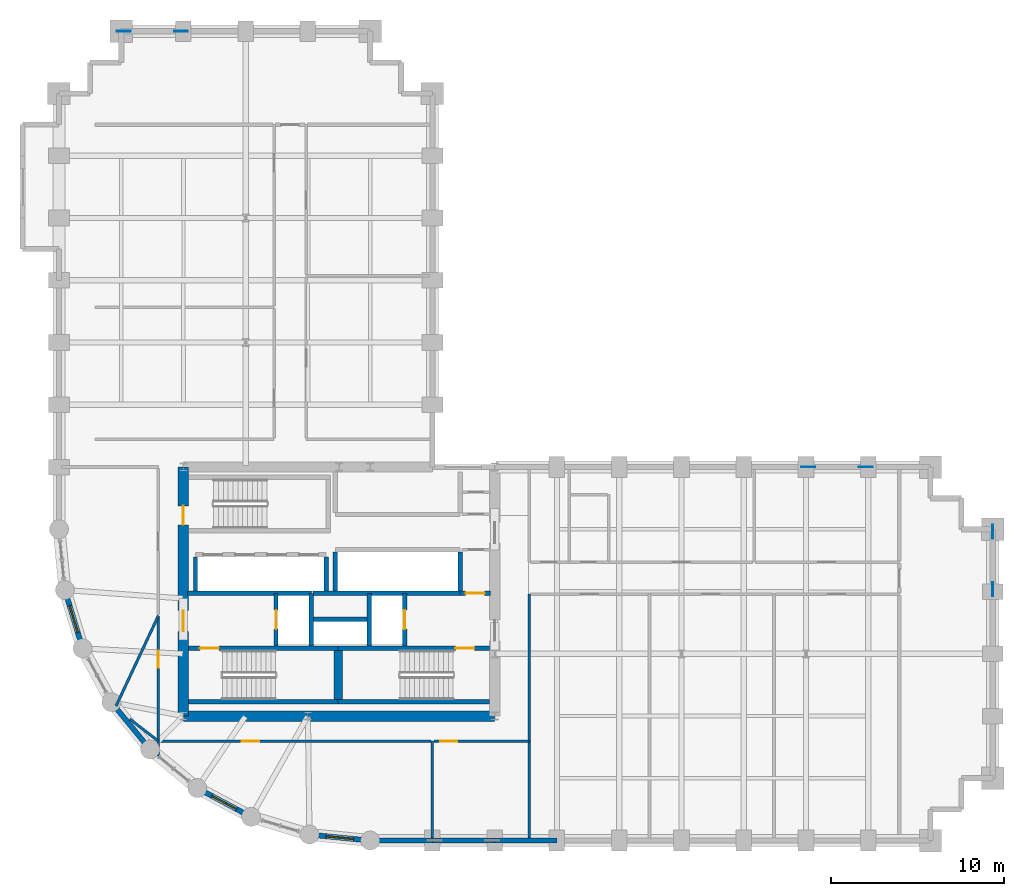
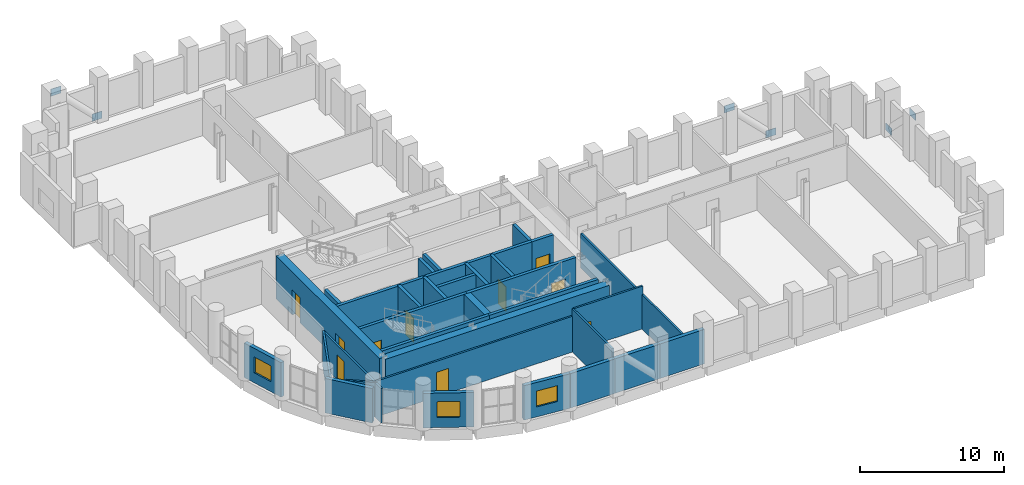
# One storey, part 9 of 13: 33 walls, 10 doors, 6 plates, 3 windows, 13 openings.
"""IFC4 building model written with IfcOpenShell, lengths in metres."""

from ifc_helpers import new_model, si_unit, direction, frame, frame_2d, origin, origin_2d, place, context, subcontext, project, spatial, rectangle, extrude, material, layer, layer_set, type_object, element, fill, save


model = new_model("IFC4")

# Units and contexts
model_context = context("Model", 3, precision=1e-05, world=origin(), true_north=direction((0.0, 1.0)))
body_context = subcontext(model_context, "Body", "Model", "MODEL_VIEW")
ifc_project = project(units=[si_unit("LENGTHUNIT", "METRE"), si_unit("AREAUNIT", "SQUARE_METRE"), si_unit("VOLUMEUNIT", "CUBIC_METRE"), si_unit("PLANEANGLEUNIT", "RADIAN"), si_unit("MASSUNIT", "GRAM", prefix="KILO")], contexts=[model_context])

# Site, building, storey
site_placement = place(None, origin())
site = spatial("IfcSite", under=ifc_project, at=site_placement, CompositionType="ELEMENT")
building_placement = place(site_placement, origin())
building = spatial("IfcBuilding", under=site, at=building_placement, Name="Solnavia Interchange Tower", CompositionType="ELEMENT")
storey_placement = place(building_placement, frame((0.0, 0.0, 51.300048828125)))
storey = spatial("IfcBuildingStorey", under=building, at=storey_placement, Name="L12", CompositionType="ELEMENT", Elevation=51.300048828125)

# Plates
ifc_material_1 = material(Name="Steel S460", Category="steel")
ifc_layer_1 = layer(ifc_material_1, 0.035888671875)
ifc_layer_set_1 = layer_set([ifc_layer_1], Name="Steel S460")
plate_type = type_object("IfcPlateType", Name="Plate-Gusset-800x600x36", PredefinedType="USERDEFINED", material=ifc_layer_set_1)
for number, where, z_axis, x_axis, name in (
    (1, (61.199951171875, 21.4599609375, -0.1201171875), (0.0, 0.0, 1.0), (0.0, -1.0, 0.0), "PLT-L12-GP03 Perimeter brace gusset plate"),
    (2, (61.199951171875, 18.139892578125, 3.169921875), (0.0, 0.0, 1.0), (0.0, -1.0, 0.0), "PLT-L12-GP04 Perimeter brace gusset plate"),
    (3, (14.260009765625, 50.39990234375, -0.1201171875), (0.0, 0.0, 1.0), (-1.0, 0.0, 0.0), "PLT-L12-GP05 Perimeter brace gusset plate"),
    (4, (10.93994140625, 50.39990234375, 3.169921875), (0.0, 0.0, 1.0), (-1.0, 0.0, 0.0), "PLT-L12-GP06 Perimeter brace gusset plate"),
    (5, (53.860107421875, 25.199951171875, -0.1201171875), (0.0, 0.0, 1.0), (-1.0, 0.0, 0.0), "PLT-L12-GP07 Perimeter brace gusset plate"),
    (6, (50.5400390625, 25.199951171875, 3.169921875), (0.0, 0.0, 1.0), (-1.0, 0.0, 0.0), "PLT-L12-GP08 Perimeter brace gusset plate"),
):
    element("IfcPlate", number, at=place(storey_placement, frame(where, z_axis=z_axis, x_axis=x_axis)), inside=storey, type_object=plate_type, Name=name, ObjectType="GUSSET PLATE", PredefinedType="USERDEFINED", context=body_context, shape_type="SweptSolid", body=[
        extrude(rectangle(XDim=0.800048828125, YDim=0.035888671875, at=origin_2d()), origin(), (0.0, 0.0, 1.0), 0.60009765625),
    ])

# Walls
ifc_material_2 = material(Name="Concrete C40/50", Category="concrete")
ifc_layer_2 = layer(ifc_material_2, 0.300048828125)
ifc_layer_set_2 = layer_set([ifc_layer_2], Name="Concrete C40/50")
wall_type_1 = type_object("IfcWallType", Name="Wall-ExtSpandrel-300", PredefinedType="STANDARD", material=ifc_layer_set_2)
wall_1_placement = place(storey_placement, frame((28.800048828125, 3.60009765625, 0.0), z_axis=(0.0, 0.0, 1.0), x_axis=(-1.0, 0.0, 0.0)))
element("IfcWall", 7, at=wall_1_placement, inside=storey, type_object=wall_type_1, Name="EXW-L12-01 Exterior precast spandrel wall", PredefinedType="STANDARD", context=body_context, shape_type="SweptSolid", body=[
    extrude(rectangle(XDim=3.60009765625, YDim=0.300048828125, at=frame_2d((1.800048828125, 0.0))), origin(), (0.0, 0.0, 1.0), 2.929931640625),
])
wall_2_placement = place(storey_placement, frame((32.39990234375, 3.60009765625, 0.0), z_axis=(0.0, 0.0, 1.0), x_axis=(-1.0, 0.0, 0.0)))
element("IfcWall", 8, at=wall_2_placement, inside=storey, type_object=wall_type_1, Name="EXW-L12-02 Exterior precast spandrel wall", PredefinedType="STANDARD", context=body_context, shape_type="SweptSolid", body=[
    extrude(rectangle(XDim=3.599853515625, YDim=0.300048828125, at=frame_2d((1.7998046875, 0.0))), origin(), (0.0, 0.0, 1.0), 2.929931640625),
])
wall_3_placement = place(storey_placement, frame((36.0, 3.60009765625, 0.0), z_axis=(0.0, 0.0, 1.0), x_axis=(-1.0, 0.0, 0.0)))
element("IfcWall", 9, at=wall_3_placement, inside=storey, type_object=wall_type_1, Name="EXW-L12-03 Exterior precast spandrel wall", PredefinedType="STANDARD", context=body_context, shape_type="SweptSolid", body=[
    extrude(rectangle(XDim=3.60009765625, YDim=0.300048828125, at=frame_2d((1.800048828125, 0.0))), origin(), (0.0, 0.0, 1.0), 2.929931640625),
])

# Wall, opening, window
wall_4_placement = place(storey_placement, frame((8.570068359375, 14.7119140625, 0.0), z_axis=(0.0, 0.0, 1.0), x_axis=(-0.290305086481, 0.956934144423, 0.0)))
wall_4 = element("IfcWall", 10, at=wall_4_placement, inside=storey, type_object=wall_type_1, Name="EXW-L12-60 Exterior precast spandrel wall", PredefinedType="STANDARD", context=body_context, shape_type="SweptSolid", body=[
    extrude(rectangle(XDim=3.52783203125, YDim=0.300048828125, at=frame_2d((1.763916015625, 0.0))), origin(), (0.0, 0.0, 1.0), 2.929931640625),
])
opening_1_placement = place(wall_4_placement, frame((0.964111328125, 0.0, 0.85009765625)))
opening_1 = element("IfcOpeningElement", 11, at=opening_1_placement, cuts=wall_4, Name="Opening WIN-04", PredefinedType="OPENING", context=body_context, shape_type="SweptSolid", body=[
    extrude(rectangle(XDim=1.60009765625, YDim=1.35009765625, at=frame_2d((0.800048828125, 0.675048828125))), frame((0.0, 0.16015625, 0.0), z_axis=(0.0, -1.0, 0.0), x_axis=(1.0, 0.0, 0.0)), (0.0, 0.0, 1.0), 0.320068359375),
])
ifc_material_3 = material(Name="Thermal-Break Aluminium & Low-E Glass", Category="aluminium")
window_type = type_object("IfcWindowType", Name="Window-Drum-1600x1350", PartitioningType="SINGLE_PANEL", PredefinedType="WINDOW", material=ifc_material_3)
window_1_placement = place(opening_1_placement, origin())
window_1 = element("IfcWindow", 12, at=window_1_placement, inside=storey, type_object=window_type, Name="WIN-L12-60 Facade ribbon window", OverallHeight=1.35009765625, OverallWidth=1.60009765625, PartitioningType="SINGLE_PANEL", PredefinedType="WINDOW", context=body_context, shape_type="SweptSolid", body=[
    extrude(rectangle(XDim=1.60009765625, YDim=1.35009765625, at=frame_2d((0.800048828125, 0.675048828125))), frame((0.0, 0.030029296875, 0.0), z_axis=(0.0, -1.0, 0.0), x_axis=(1.0, 0.0, 0.0)), (0.0, 0.0, 1.0), 0.06005859375),
])
fill(opening_1, window_1)

# Wall
wall_5_placement = place(storey_placement, frame((12.471923828125, 8.8720703125, 0.0), z_axis=(0.0, 0.0, 1.0), x_axis=(-0.634258295121, 0.773121216285, 0.0)))
element("IfcWall", 13, at=wall_5_placement, inside=storey, type_object=wall_type_1, Name="EXW-L12-62 Exterior precast spandrel wall", PredefinedType="STANDARD", context=body_context, shape_type="SweptSolid", body=[
    extrude(rectangle(XDim=3.528564453125, YDim=0.300048828125, at=frame_2d((1.76416015625, 0.0))), origin(), (0.0, 0.0, 1.0), 2.929931640625),
])

# Wall, opening, window
wall_6_placement = place(storey_placement, frame((18.31201171875, 4.969970703125, 0.0), z_axis=(0.0, 0.0, 1.0), x_axis=(-0.881846862014, 0.471535907389, 0.0)))
wall_6 = element("IfcWall", 14, at=wall_6_placement, inside=storey, type_object=wall_type_1, Name="EXW-L12-64 Exterior precast spandrel wall", PredefinedType="STANDARD", context=body_context, shape_type="SweptSolid", body=[
    extrude(rectangle(XDim=3.529052734375, YDim=0.300048828125, at=frame_2d((1.7646484375, 0.0))), origin(), (0.0, 0.0, 1.0), 2.929931640625),
])
opening_2_placement = place(wall_6_placement, frame((0.964111328125, 0.0, 0.85009765625)))
opening_2 = element("IfcOpeningElement", 15, at=opening_2_placement, cuts=wall_6, Name="Opening WIN-04", PredefinedType="OPENING", context=body_context, shape_type="SweptSolid", body=[
    extrude(rectangle(XDim=1.60009765625, YDim=1.35009765625, at=frame_2d((0.800048828125, 0.675048828125))), frame((0.0, 0.16015625, 0.0), z_axis=(0.0, -1.0, 0.0), x_axis=(1.0, 0.0, 0.0)), (0.0, 0.0, 1.0), 0.320068359375),
])
window_2_placement = place(opening_2_placement, origin())
window_2 = element("IfcWindow", 16, at=window_2_placement, inside=storey, type_object=window_type, Name="WIN-L12-64 Facade ribbon window", OverallHeight=1.35009765625, OverallWidth=1.60009765625, PartitioningType="SINGLE_PANEL", PredefinedType="WINDOW", context=body_context, shape_type="SweptSolid", body=[
    extrude(rectangle(XDim=1.60009765625, YDim=1.35009765625, at=frame_2d((0.800048828125, 0.675048828125))), frame((0.0, 0.030029296875, 0.0), z_axis=(0.0, -1.0, 0.0), x_axis=(1.0, 0.0, 0.0)), (0.0, 0.0, 1.0), 0.06005859375),
])
fill(opening_2, window_2)

wall_7_placement = place(storey_placement, frame((25.199951171875, 3.60009765625, 0.0), z_axis=(0.0, 0.0, 1.0), x_axis=(-0.995183369056, 0.098030923459, 0.0)))
wall_7 = element("IfcWall", 17, at=wall_7_placement, inside=storey, type_object=wall_type_1, Name="EXW-L12-66 Exterior precast spandrel wall", PredefinedType="STANDARD", context=body_context, shape_type="SweptSolid", body=[
    extrude(rectangle(XDim=3.529052734375, YDim=0.300048828125, at=frame_2d((1.7646484375, 0.0))), origin(), (0.0, 0.0, 1.0), 2.929931640625),
])
opening_3_placement = place(wall_7_placement, frame((0.965087890625, 0.0, 0.85009765625)))
opening_3 = element("IfcOpeningElement", 18, at=opening_3_placement, cuts=wall_7, Name="Opening WIN-04", PredefinedType="OPENING", context=body_context, shape_type="SweptSolid", body=[
    extrude(rectangle(XDim=1.60009765625, YDim=1.35009765625, at=frame_2d((0.800048828125, 0.675048828125))), frame((0.0, 0.16015625, 0.0), z_axis=(0.0, -1.0, 0.0), x_axis=(1.0, 0.0, 0.0)), (0.0, 0.0, 1.0), 0.320068359375),
])
window_3_placement = place(opening_3_placement, origin())
window_3 = element("IfcWindow", 19, at=window_3_placement, inside=storey, type_object=window_type, Name="WIN-L12-66 Facade ribbon window", OverallHeight=1.35009765625, OverallWidth=1.60009765625, PartitioningType="SINGLE_PANEL", PredefinedType="WINDOW", context=body_context, shape_type="SweptSolid", body=[
    extrude(rectangle(XDim=1.60009765625, YDim=1.35009765625, at=frame_2d((0.800048828125, 0.675048828125))), frame((0.0, 0.030029296875, 0.0), z_axis=(0.0, -1.0, 0.0), x_axis=(1.0, 0.0, 0.0)), (0.0, 0.0, 1.0), 0.06005859375),
])
fill(opening_3, window_3)

# Walls
ifc_material_4 = material(Name="Gypsum Plasterboard & Steel Stud", Category="steel")
ifc_layer_3 = layer(ifc_material_4, 0.14990234375)
ifc_layer_set_3 = layer_set([ifc_layer_3], Name="Gypsum Plasterboard & Steel Stud")
wall_type_2 = type_object("IfcWallType", Name="Wall-Partition-150", PredefinedType="PARTITIONING", material=ifc_layer_set_3)
wall_8_placement = place(storey_placement, frame((28.800048828125, 9.35009765625, 0.0), z_axis=(0.0, 0.0, 1.0), x_axis=(0.0, -1.0, 0.0)))
element("IfcWall", 20, at=wall_8_placement, inside=storey, type_object=wall_type_2, Name="PTW-L12-08 Interior partition wall", PredefinedType="PARTITIONING", context=body_context, shape_type="SweptSolid", body=[
    extrude(rectangle(XDim=5.59619140625, YDim=0.14990234375, at=frame_2d((2.798095703125, 0.0))), origin(), (0.0, 0.0, 1.0), 3.635009765625),
])
wall_9_placement = place(storey_placement, frame((12.949951171875, 9.35009765625, 0.0), z_axis=(0.0, 0.0, 1.0), x_axis=(-0.791573423038, 0.611074067474, 0.0)))
element("IfcWall", 21, at=wall_9_placement, inside=storey, type_object=wall_type_2, Name="PTW-L12-09 Interior partition wall", PredefinedType="PARTITIONING", context=body_context, shape_type="SweptSolid", body=[
    extrude(rectangle(XDim=2.084228515625, YDim=0.14990234375, at=frame_2d((1.0419921875, 0.0))), origin(), (0.0, 0.0, 1.0), 2.929931640625),
])
wall_10_placement = place(storey_placement, frame((12.949951171875, 16.60009765625, 0.0), z_axis=(0.0, 0.0, 1.0), x_axis=(-0.424335060038, -0.905505249473, 0.0)))
element("IfcWall", 22, at=wall_10_placement, inside=storey, type_object=wall_type_2, Name="PTW-L12-10 Interior partition wall", PredefinedType="PARTITIONING", context=body_context, shape_type="SweptSolid", body=[
    extrude(rectangle(XDim=5.760498046875, YDim=0.14990234375, at=frame_2d((2.88037109375, 0.0))), origin(), (0.0, 0.0, 1.0), 2.929931640625),
])

# Wall, opening, door
wall_11_placement = place(storey_placement, frame((12.949951171875, 8.47998046875, 0.0), z_axis=(0.0, 0.0, 1.0), x_axis=(0.0, 1.0, 0.0)))
wall_11 = element("IfcWall", 23, at=wall_11_placement, inside=storey, type_object=wall_type_2, Name="PTW-L12-12 Interior partition wall", PredefinedType="PARTITIONING", context=body_context, shape_type="SweptSolid", body=[
    extrude(rectangle(XDim=8.041015625, YDim=0.14990234375, at=frame_2d((4.0205078125, 0.0))), origin(), (0.0, 0.0, 1.0), 2.929931640625),
])
opening_4_placement = place(wall_11_placement, frame((5.10107421875, 0.0, 0.0)))
opening_4 = element("IfcOpeningElement", 24, at=opening_4_placement, cuts=wall_11, Name="Opening DR-07", PredefinedType="OPENING", context=body_context, shape_type="SweptSolid", body=[
    extrude(rectangle(XDim=1.0, YDim=2.10009765625, at=frame_2d((0.5, 1.050048828125))), frame((0.0, 0.0849609375, 0.0), z_axis=(0.0, -1.0, 0.0), x_axis=(1.0, 0.0, 0.0)), (0.0, 0.0, 1.0), 0.169921875),
])
ifc_material_5 = material(Name="Timber & Acoustic Glazed Office Door", Category="wood")
door_type_1 = type_object("IfcDoorType", Name="Door-Office-1000x2100", OperationType="SINGLE_SWING_RIGHT", PredefinedType="DOOR", material=ifc_material_5)
door_1_placement = place(opening_4_placement, origin())
door_1 = element("IfcDoor", 25, at=door_1_placement, inside=storey, type_object=door_type_1, Name="DR-L12-04 Interior room door", OperationType="SINGLE_SWING_RIGHT", OverallHeight=2.10009765625, OverallWidth=1.0, PredefinedType="DOOR", context=body_context, shape_type="SweptSolid", body=[
    extrude(rectangle(XDim=1.0, YDim=2.10009765625, at=frame_2d((0.5, 1.050048828125))), frame((0.0, 0.02490234375, 0.0), z_axis=(0.0, -1.0, 0.0), x_axis=(1.0, 0.0, 0.0)), (0.0, 0.0, 1.0), 0.050048828125),
])
fill(opening_4, door_1)

wall_12_placement = place(storey_placement, frame((12.949951171875, 9.35009765625, 0.0), z_axis=(0.0, 0.0, 1.0), x_axis=(1.0, 0.0, 0.0)))
wall_12 = element("IfcWall", 26, at=wall_12_placement, inside=storey, type_object=wall_type_2, Name="PTW-L12-13 Interior partition wall", PredefinedType="PARTITIONING", context=body_context, shape_type="SweptSolid", body=[
    extrude(rectangle(XDim=15.77099609375, YDim=0.14990234375, at=frame_2d((7.885498046875, 0.0))), origin(), (0.0, 0.0, 1.0), 3.0400390625),
])
opening_5_placement = place(wall_12_placement, frame((4.8359375, 0.0, 0.0)))
opening_5 = element("IfcOpeningElement", 27, at=opening_5_placement, cuts=wall_12, Name="Opening DR-07", PredefinedType="OPENING", context=body_context, shape_type="SweptSolid", body=[
    extrude(rectangle(XDim=1.0, YDim=2.10009765625, at=frame_2d((0.5, 1.050048828125))), frame((0.0, 0.0849609375, 0.0), z_axis=(0.0, -1.0, 0.0), x_axis=(1.0, 0.0, 0.0)), (0.0, 0.0, 1.0), 0.169921875),
])
door_2_placement = place(opening_5_placement, origin())
door_2 = element("IfcDoor", 28, at=door_2_placement, inside=storey, type_object=door_type_1, Name="DR-L12-05 Interior room door", OperationType="SINGLE_SWING_LEFT", OverallHeight=2.10009765625, OverallWidth=1.0, PredefinedType="DOOR", context=body_context, shape_type="SweptSolid", body=[
    extrude(rectangle(XDim=1.0, YDim=2.10009765625, at=frame_2d((0.5, 1.050048828125))), frame((0.0, 0.02490234375, 0.0), z_axis=(0.0, -1.0, 0.0), x_axis=(1.0, 0.0, 0.0)), (0.0, 0.0, 1.0), 0.050048828125),
])
fill(opening_5, door_2)

wall_13_placement = place(storey_placement, frame((28.87890625, 9.35009765625, 0.0), z_axis=(0.0, 0.0, 1.0), x_axis=(1.0, 0.0, 0.0)))
wall_13 = element("IfcWall", 29, at=wall_13_placement, inside=storey, type_object=wall_type_2, Name="PTW-L12-14 Interior partition wall", PredefinedType="PARTITIONING", context=body_context, shape_type="SweptSolid", body=[
    extrude(rectangle(XDim=5.52099609375, YDim=0.14990234375, at=frame_2d((2.760498046875, 0.0))), origin(), (0.0, 0.0, 1.0), 3.635009765625),
])
opening_6_placement = place(wall_13_placement, frame((0.360107421875, 0.0, 0.0)))
opening_6 = element("IfcOpeningElement", 30, at=opening_6_placement, cuts=wall_13, Name="Opening DR-07", PredefinedType="OPENING", context=body_context, shape_type="SweptSolid", body=[
    extrude(rectangle(XDim=1.0, YDim=2.10009765625, at=frame_2d((0.5, 1.050048828125))), frame((0.0, 0.0849609375, 0.0), z_axis=(0.0, -1.0, 0.0), x_axis=(1.0, 0.0, 0.0)), (0.0, 0.0, 1.0), 0.169921875),
])
door_3_placement = place(opening_6_placement, origin())
door_3 = element("IfcDoor", 31, at=door_3_placement, inside=storey, type_object=door_type_1, Name="DR-L12-06 Interior room door", OperationType="SINGLE_SWING_RIGHT", OverallHeight=2.10009765625, OverallWidth=1.0, PredefinedType="DOOR", context=body_context, shape_type="SweptSolid", body=[
    extrude(rectangle(XDim=1.0, YDim=2.10009765625, at=frame_2d((0.5, 1.050048828125))), frame((0.0, 0.02490234375, 0.0), z_axis=(0.0, -1.0, 0.0), x_axis=(1.0, 0.0, 0.0)), (0.0, 0.0, 1.0), 0.050048828125),
])
fill(opening_6, door_3)

# Walls
wall_14_placement = place(storey_placement, frame((34.39990234375, 3.75390625, 0.0), z_axis=(0.0, 0.0, 1.0), x_axis=(0.0, 1.0, 0.0)))
element("IfcWall", 32, at=wall_14_placement, inside=storey, type_object=wall_type_2, Name="PTW-L12-15 Interior partition wall", PredefinedType="PARTITIONING", context=body_context, shape_type="SweptSolid", body=[
    extrude(rectangle(XDim=14.09619140625, YDim=0.14990234375, at=frame_2d((7.048095703125, 0.0))), origin(), (0.0, 0.0, 1.0), 2.929931640625),
])
ifc_layer_4 = layer(ifc_material_2, 0.25)
ifc_layer_set_4 = layer_set([ifc_layer_4], Name="Concrete C40/50")
wall_type_3 = type_object("IfcWallType", Name="Wall-ShaftCore-250", PredefinedType="SHEAR", material=ifc_layer_set_4)
wall_15_placement = place(storey_placement, frame((14.699951171875, 11.625, 0.0), z_axis=(0.0, 0.0, 1.0), x_axis=(1.0, 0.0, 0.0)))
element("IfcWall", 33, at=wall_15_placement, inside=storey, type_object=wall_type_3, Name="SHW-L12-ST1S Core shear wall", PredefinedType="SHEAR", context=body_context, shape_type="SweptSolid", body=[
    extrude(rectangle(XDim=8.650146484375, YDim=0.25, at=frame_2d((4.3251953125, 0.0))), origin(), (0.0, 0.0, 1.0), 3.64990234375),
])

# Wall, opening, door
wall_16_placement = place(storey_placement, frame((14.699951171875, 14.715087890625, 0.0), z_axis=(0.0, 0.0, 1.0), x_axis=(1.0, 0.0, 0.0)))
wall_16 = element("IfcWall", 34, at=wall_16_placement, inside=storey, type_object=wall_type_3, Name="SHW-L12-ST1N Core shear wall", PredefinedType="SHEAR", context=body_context, shape_type="SweptSolid", body=[
    extrude(rectangle(XDim=8.650146484375, YDim=0.25, at=frame_2d((4.3251953125, 0.0))), origin(), (0.0, 0.0, 1.0), 3.64990234375),
])
opening_7_placement = place(wall_16_placement, frame((0.655029296875, 0.0, 0.0)))
opening_7 = element("IfcOpeningElement", 35, at=opening_7_placement, cuts=wall_16, Name="Opening DR-01", PredefinedType="OPENING", context=body_context, shape_type="SweptSolid", body=[
    extrude(rectangle(XDim=1.10009765625, YDim=2.10009765625, at=frame_2d((0.550048828125, 1.050048828125))), frame((0.0, 0.135009765625, 0.0), z_axis=(0.0, -1.0, 0.0), x_axis=(1.0, 0.0, 0.0)), (0.0, 0.0, 1.0), 0.27001953125),
])
ifc_material_6 = material(Name="Steel Fire-Rated Leaf & Frame", Category="steel")
door_type_2 = type_object("IfcDoorType", Name="Door-StairFire-1100x2100", OperationType="SINGLE_SWING_LEFT", PredefinedType="DOOR", material=ifc_material_6)
door_4_placement = place(opening_7_placement, origin())
door_4 = element("IfcDoor", 36, at=door_4_placement, inside=storey, type_object=door_type_2, Name="DR-L12-ST1 Core fire door", OperationType="SINGLE_SWING_LEFT", OverallHeight=2.10009765625, OverallWidth=1.10009765625, PredefinedType="DOOR", context=body_context, shape_type="SweptSolid", body=[
    extrude(rectangle(XDim=1.10009765625, YDim=2.10009765625, at=frame_2d((0.550048828125, 1.050048828125))), frame((0.0, 0.02490234375, 0.0), z_axis=(0.0, -1.0, 0.0), x_axis=(1.0, 0.0, 0.0)), (0.0, 0.0, 1.0), 0.050048828125),
])
fill(opening_7, door_4)

# Wall
wall_17_placement = place(storey_placement, frame((23.35009765625, 11.625, 0.0), z_axis=(0.0, 0.0, 1.0), x_axis=(1.0, 0.0, 0.0)))
element("IfcWall", 37, at=wall_17_placement, inside=storey, type_object=wall_type_3, Name="SHW-L12-ST2S Core shear wall", PredefinedType="SHEAR", context=body_context, shape_type="SweptSolid", body=[
    extrude(rectangle(XDim=8.75, YDim=0.25, at=frame_2d((4.375, 0.0))), origin(), (0.0, 0.0, 1.0), 3.64990234375),
])

# Wall, opening, door
wall_18_placement = place(storey_placement, frame((23.35009765625, 14.715087890625, 0.0), z_axis=(0.0, 0.0, 1.0), x_axis=(1.0, 0.0, 0.0)))
wall_18 = element("IfcWall", 38, at=wall_18_placement, inside=storey, type_object=wall_type_3, Name="SHW-L12-ST2N Core shear wall", PredefinedType="SHEAR", context=body_context, shape_type="SweptSolid", body=[
    extrude(rectangle(XDim=8.75, YDim=0.25, at=frame_2d((4.375, 0.0))), origin(), (0.0, 0.0, 1.0), 3.64990234375),
])
opening_8_placement = place(wall_18_placement, frame((6.77490234375, 0.0, 0.0)))
opening_8 = element("IfcOpeningElement", 39, at=opening_8_placement, cuts=wall_18, Name="Opening DR-01", PredefinedType="OPENING", context=body_context, shape_type="SweptSolid", body=[
    extrude(rectangle(XDim=1.10009765625, YDim=2.10009765625, at=frame_2d((0.550048828125, 1.050048828125))), frame((0.0, 0.135009765625, 0.0), z_axis=(0.0, -1.0, 0.0), x_axis=(1.0, 0.0, 0.0)), (0.0, 0.0, 1.0), 0.27001953125),
])
door_5_placement = place(opening_8_placement, origin())
door_5 = element("IfcDoor", 40, at=door_5_placement, inside=storey, type_object=door_type_2, Name="DR-L12-ST2 Core fire door", OperationType="SINGLE_SWING_LEFT", OverallHeight=2.10009765625, OverallWidth=1.10009765625, PredefinedType="DOOR", context=body_context, shape_type="SweptSolid", body=[
    extrude(rectangle(XDim=1.10009765625, YDim=2.10009765625, at=frame_2d((0.550048828125, 1.050048828125))), frame((0.0, 0.02490234375, 0.0), z_axis=(0.0, -1.0, 0.0), x_axis=(1.0, 0.0, 0.0)), (0.0, 0.0, 1.0), 0.050048828125),
])
fill(opening_8, door_5)

# Wall
ifc_layer_5 = layer(ifc_material_2, 0.25)
ifc_layer_set_5 = layer_set([ifc_layer_5], Name="Concrete C40/50")
wall_type_4 = type_object("IfcWallType", Name="Wall-ShaftPart-250", PredefinedType="PARTITIONING", material=ifc_layer_set_5)
wall_19_placement = place(storey_placement, frame((14.64990234375, 17.89990234375, 0.0), z_axis=(0.0, 0.0, 1.0), x_axis=(1.0, 0.0, 0.0)))
element("IfcWall", 41, at=wall_19_placement, inside=storey, type_object=wall_type_4, Name="SHW-L12-FFLW-N Core shaft wall", PredefinedType="PARTITIONING", context=body_context, shape_type="SweptSolid", body=[
    extrude(rectangle(XDim=7.150146484375, YDim=0.25, at=frame_2d((3.5751953125, 0.0))), origin(), (0.0, 0.0, 1.0), 3.635009765625),
])

# Wall, opening, door
wall_20_placement = place(storey_placement, frame((19.75, 14.840087890625, 0.0), z_axis=(0.0, 0.0, 1.0), x_axis=(0.0, 1.0, 0.0)))
wall_20 = element("IfcWall", 42, at=wall_20_placement, inside=storey, type_object=wall_type_4, Name="SHW-L12-FFL1-W Core shaft wall", PredefinedType="PARTITIONING", context=body_context, shape_type="SweptSolid", body=[
    extrude(rectangle(XDim=3.059814453125, YDim=0.25, at=frame_2d((1.52978515625, 0.0))), origin(), (0.0, 0.0, 1.0), 3.635009765625),
])
opening_9_placement = place(wall_20_placement, frame((0.97998046875, 0.0, 0.0)))
opening_9 = element("IfcOpeningElement", 43, at=opening_9_placement, cuts=wall_20, Name="Opening LD-01", PredefinedType="OPENING", context=body_context, shape_type="SweptSolid", body=[
    extrude(rectangle(XDim=1.10009765625, YDim=2.10009765625, at=frame_2d((0.550048828125, 1.050048828125))), frame((0.0, 0.135009765625, 0.0), z_axis=(0.0, -1.0, 0.0), x_axis=(1.0, 0.0, 0.0)), (0.0, 0.0, 1.0), 0.27001953125),
])
ifc_material_7 = material(Name="Brushed Stainless Steel Sliding Door", Category="steel")
door_type_3 = type_object("IfcDoorType", Name="Door-LiftLanding-1100x2100", OperationType="SLIDING_TO_LEFT", PredefinedType="DOOR", material=ifc_material_7)
door_6_placement = place(opening_9_placement, origin())
door_6 = element("IfcDoor", 44, at=door_6_placement, inside=storey, type_object=door_type_3, Name="LD-L12-FFL1 Lift landing sliding door", OperationType="SLIDING_TO_LEFT", OverallHeight=2.10009765625, OverallWidth=1.10009765625, PredefinedType="DOOR", context=body_context, shape_type="SweptSolid", body=[
    extrude(rectangle(XDim=1.10009765625, YDim=2.10009765625, at=frame_2d((0.550048828125, 1.050048828125))), frame((0.0, 0.02490234375, 0.0), z_axis=(0.0, -1.0, 0.0), x_axis=(1.0, 0.0, 0.0)), (0.0, 0.0, 1.0), 0.050048828125),
])
fill(opening_9, door_6)

# Walls
wall_21_placement = place(storey_placement, frame((21.800048828125, 14.840087890625, 0.0), z_axis=(0.0, 0.0, 1.0), x_axis=(0.0, 1.0, 0.0)))
element("IfcWall", 45, at=wall_21_placement, inside=storey, type_object=wall_type_4, Name="SHW-L12-FFL1-E Core shaft wall", PredefinedType="PARTITIONING", context=body_context, shape_type="SweptSolid", body=[
    extrude(rectangle(XDim=3.059814453125, YDim=0.25, at=frame_2d((1.52978515625, 0.0))), origin(), (0.0, 0.0, 1.0), 3.635009765625),
])
wall_22_placement = place(storey_placement, frame((21.8798828125, 17.89990234375, 0.0), z_axis=(0.0, 0.0, 1.0), x_axis=(1.0, 0.0, 0.0)))
element("IfcWall", 46, at=wall_22_placement, inside=storey, type_object=wall_type_4, Name="SHW-L12-FFLE-N1 Core shaft wall", PredefinedType="PARTITIONING", context=body_context, shape_type="SweptSolid", body=[
    extrude(rectangle(XDim=8.52001953125, YDim=0.25, at=frame_2d((4.260009765625, 0.0))), origin(), (0.0, 0.0, 1.0), 3.635009765625),
])

# Wall, opening, door
wall_23_placement = place(storey_placement, frame((30.39990234375, 17.89990234375, 0.0), z_axis=(0.0, 0.0, 1.0), x_axis=(1.0, 0.0, 0.0)))
wall_23 = element("IfcWall", 47, at=wall_23_placement, inside=storey, type_object=wall_type_4, Name="SHW-L12-FFLE-N2 Core shaft wall", PredefinedType="PARTITIONING", context=body_context, shape_type="SweptSolid", body=[
    extrude(rectangle(XDim=1.75, YDim=0.25, at=frame_2d((0.875, 0.0))), origin(), (0.0, 0.0, 1.0), 3.635009765625),
])
opening_10_placement = place(wall_23_placement, frame((0.320068359375, 0.0, 0.0)))
opening_10 = element("IfcOpeningElement", 48, at=opening_10_placement, cuts=wall_23, Name="Opening DR-01", PredefinedType="OPENING", context=body_context, shape_type="SweptSolid", body=[
    extrude(rectangle(XDim=1.10009765625, YDim=2.10009765625, at=frame_2d((0.550048828125, 1.050048828125))), frame((0.0, 0.135009765625, 0.0), z_axis=(0.0, -1.0, 0.0), x_axis=(1.0, 0.0, 0.0)), (0.0, 0.0, 1.0), 0.27001953125),
])
door_7_placement = place(opening_10_placement, origin())
door_7 = element("IfcDoor", 49, at=door_7_placement, inside=storey, type_object=door_type_2, Name="DR-L12-LLC Core fire door", OperationType="SINGLE_SWING_LEFT", OverallHeight=2.10009765625, OverallWidth=1.10009765625, PredefinedType="DOOR", context=body_context, shape_type="SweptSolid", body=[
    extrude(rectangle(XDim=1.10009765625, YDim=2.10009765625, at=frame_2d((0.550048828125, 1.050048828125))), frame((0.0, 0.02490234375, 0.0), z_axis=(0.0, -1.0, 0.0), x_axis=(1.0, 0.0, 0.0)), (0.0, 0.0, 1.0), 0.050048828125),
])
fill(opening_10, door_7)

# Wall
wall_24_placement = place(storey_placement, frame((25.14990234375, 14.840087890625, 0.0), z_axis=(0.0, 0.0, 1.0), x_axis=(0.0, 1.0, 0.0)))
element("IfcWall", 50, at=wall_24_placement, inside=storey, type_object=wall_type_4, Name="SHW-L12-FFL2-W Core shaft wall", PredefinedType="PARTITIONING", context=body_context, shape_type="SweptSolid", body=[
    extrude(rectangle(XDim=3.059814453125, YDim=0.25, at=frame_2d((1.52978515625, 0.0))), origin(), (0.0, 0.0, 1.0), 3.635009765625),
])

# Wall, opening, door
wall_25_placement = place(storey_placement, frame((27.199951171875, 14.840087890625, 0.0), z_axis=(0.0, 0.0, 1.0), x_axis=(0.0, 1.0, 0.0)))
wall_25 = element("IfcWall", 51, at=wall_25_placement, inside=storey, type_object=wall_type_4, Name="SHW-L12-FFL2-E Core shaft wall", PredefinedType="PARTITIONING", context=body_context, shape_type="SweptSolid", body=[
    extrude(rectangle(XDim=3.059814453125, YDim=0.25, at=frame_2d((1.52978515625, 0.0))), origin(), (0.0, 0.0, 1.0), 3.635009765625),
])
opening_11_placement = place(wall_25_placement, frame((0.97998046875, 0.0, 0.0)))
opening_11 = element("IfcOpeningElement", 52, at=opening_11_placement, cuts=wall_25, Name="Opening LD-01", PredefinedType="OPENING", context=body_context, shape_type="SweptSolid", body=[
    extrude(rectangle(XDim=1.10009765625, YDim=2.10009765625, at=frame_2d((0.550048828125, 1.050048828125))), frame((0.0, 0.135009765625, 0.0), z_axis=(0.0, -1.0, 0.0), x_axis=(1.0, 0.0, 0.0)), (0.0, 0.0, 1.0), 0.27001953125),
])
door_8_placement = place(opening_11_placement, origin())
door_8 = element("IfcDoor", 53, at=door_8_placement, inside=storey, type_object=door_type_3, Name="LD-L12-FFL2 Lift landing sliding door", OperationType="SLIDING_TO_LEFT", OverallHeight=2.10009765625, OverallWidth=1.10009765625, PredefinedType="DOOR", context=body_context, shape_type="SweptSolid", body=[
    extrude(rectangle(XDim=1.10009765625, YDim=2.10009765625, at=frame_2d((0.550048828125, 1.050048828125))), frame((0.0, 0.02490234375, 0.0), z_axis=(0.0, -1.0, 0.0), x_axis=(1.0, 0.0, 0.0)), (0.0, 0.0, 1.0), 0.050048828125),
])
fill(opening_11, door_8)

# Walls
wall_26_placement = place(storey_placement, frame((21.800048828125, 16.39990234375, 0.0), z_axis=(0.0, 0.0, 1.0), x_axis=(1.0, 0.0, 0.0)))
element("IfcWall", 54, at=wall_26_placement, inside=storey, type_object=wall_type_4, Name="SHW-L12-MEP-N Core shaft wall", PredefinedType="PARTITIONING", context=body_context, shape_type="SweptSolid", body=[
    extrude(rectangle(XDim=3.349853515625, YDim=0.25, at=frame_2d((1.6748046875, 0.0))), origin(), (0.0, 0.0, 1.0), 3.635009765625),
])
for number, where, z_axis, x_axis, name in (
    (55, (15.10009765625, 18.02490234375, 0.0), (0.0, 0.0, 1.0), (0.0, 1.0, 0.0), "SHW-L12-B1W Core shaft wall"),
    (56, (22.64990234375, 18.02490234375, 0.0), (0.0, 0.0, 1.0), (0.0, 1.0, 0.0), "SHW-L12-B1E Core shaft wall"),
):
    element("IfcWall", number, at=place(storey_placement, frame(where, z_axis=z_axis, x_axis=x_axis)), inside=storey, type_object=wall_type_4, Name=name, PredefinedType="PARTITIONING", context=body_context, shape_type="SweptSolid", body=[
        extrude(rectangle(XDim=1.97509765625, YDim=0.25, at=frame_2d((0.987548828125, 0.0))), origin(), (0.0, 0.0, 1.0), 3.635009765625),
    ])
for number, where, z_axis, x_axis, name in (
    (57, (23.179931640625, 18.02490234375, 0.0), (0.0, 0.0, 1.0), (0.0, 1.0, 0.0), "SHW-L12-B2W Core shaft wall"),
    (58, (30.39990234375, 18.02490234375, 0.0), (0.0, 0.0, 1.0), (0.0, 1.0, 0.0), "SHW-L12-B2E Core shaft wall"),
):
    element("IfcWall", number, at=place(storey_placement, frame(where, z_axis=z_axis, x_axis=x_axis)), inside=storey, type_object=wall_type_4, Name=name, PredefinedType="PARTITIONING", context=body_context, shape_type="SweptSolid", body=[
        extrude(rectangle(XDim=2.27001953125, YDim=0.25, at=frame_2d((1.135009765625, 0.0))), origin(), (0.0, 0.0, 1.0), 3.635009765625),
    ])
ifc_material_8 = material(Name="Concrete C60/75", Category="concrete")
ifc_layer_6 = layer(ifc_material_8, 0.5)
ifc_layer_set_6 = layer_set([ifc_layer_6], Name="Concrete C60/75")
wall_type_5 = type_object("IfcWallType", Name="Wall-ShearCore-500", PredefinedType="SHEAR", material=ifc_layer_set_6)
wall_27_placement = place(storey_placement, frame((23.35009765625, 11.75, 0.0), z_axis=(0.0, 0.0, 1.0), x_axis=(0.0, 1.0, 0.0)))
element("IfcWall", 59, at=wall_27_placement, inside=storey, type_object=wall_type_5, Name="SHW-L12-ST12M Core shear wall", PredefinedType="SHEAR", context=body_context, shape_type="SweptSolid", body=[
    extrude(rectangle(XDim=2.840087890625, YDim=0.5, at=frame_2d((1.419921875, 0.0))), origin(), (0.0, 0.0, 1.0), 3.64990234375),
])
ifc_layer_7 = layer(ifc_material_8, 0.60009765625)
ifc_layer_set_7 = layer_set([ifc_layer_7], Name="Concrete C60/75")
wall_type_6 = type_object("IfcWallType", Name="Wall-ShearCore-600", PredefinedType="SHEAR", material=ifc_layer_set_7)
wall_28_placement = place(storey_placement, frame((14.39990234375, 10.800048828125, 0.0), z_axis=(0.0, 0.0, 1.0), x_axis=(1.0, 0.0, 0.0)))
element("IfcWall", 60, at=wall_28_placement, inside=storey, type_object=wall_type_6, Name="CRW-L12-S Core shear wall", PredefinedType="SHEAR", context=body_context, shape_type="SweptSolid", body=[
    extrude(rectangle(XDim=18.0, YDim=0.60009765625, at=frame_2d((9.0, 0.0))), origin(), (0.0, 0.0, 1.0), 3.64990234375),
])

# Wall, openings, doors
wall_29_placement = place(storey_placement, frame((14.39990234375, 10.800048828125, 0.0), z_axis=(0.0, 0.0, 1.0), x_axis=(0.0, 1.0, 0.0)))
wall_29 = element("IfcWall", 61, at=wall_29_placement, inside=storey, type_object=wall_type_6, Name="CRW-L12-W Core shear wall", PredefinedType="SHEAR", context=body_context, shape_type="SweptSolid", body=[
    extrude(rectangle(XDim=14.39990234375, YDim=0.60009765625, at=frame_2d((7.199951171875, 0.0))), origin(), (0.0, 0.0, 1.0), 3.64990234375),
])
opening_12_placement = place(wall_29_placement, frame((11.050048828125, 0.0, 0.0)))
opening_12 = element("IfcOpeningElement", 62, at=opening_12_placement, cuts=wall_29, Name="Opening DR-01", PredefinedType="OPENING", context=body_context, shape_type="SweptSolid", body=[
    extrude(rectangle(XDim=1.10009765625, YDim=2.10009765625, at=frame_2d((0.550048828125, 1.050048828125))), frame((0.0, 0.31005859375, 0.0), z_axis=(0.0, -1.0, 0.0), x_axis=(1.0, 0.0, 0.0)), (0.0, 0.0, 1.0), 0.6201171875),
])
opening_13_placement = place(wall_29_placement, frame((4.89990234375, 0.0, 0.0)))
opening_13 = element("IfcOpeningElement", 63, at=opening_13_placement, cuts=wall_29, Name="Opening DR-02", PredefinedType="OPENING", context=body_context, shape_type="SweptSolid", body=[
    extrude(rectangle(XDim=1.199951171875, YDim=2.10009765625, at=frame_2d((0.60009765625, 1.050048828125))), frame((0.0, 0.31005859375, 0.0), z_axis=(0.0, -1.0, 0.0), x_axis=(1.0, 0.0, 0.0)), (0.0, 0.0, 1.0), 0.6201171875),
])
ifc_material_9 = material(Name="Steel Fire-Rated Vision-Panel Door", Category="steel")
door_type_4 = type_object("IfcDoorType", Name="Door-LobbyFire-1200x2100", OperationType="SINGLE_SWING_RIGHT", PredefinedType="DOOR", material=ifc_material_9)
door_9_placement = place(opening_13_placement, origin())
door_9 = element("IfcDoor", 64, at=door_9_placement, inside=storey, type_object=door_type_4, Name="DR-L12-FFL1W Core fire door", OperationType="SINGLE_SWING_RIGHT", OverallHeight=2.10009765625, OverallWidth=1.199951171875, PredefinedType="DOOR", context=body_context, shape_type="SweptSolid", body=[
    extrude(rectangle(XDim=1.199951171875, YDim=2.10009765625, at=frame_2d((0.60009765625, 1.050048828125))), frame((0.0, 0.02490234375, 0.0), z_axis=(0.0, -1.0, 0.0), x_axis=(1.0, 0.0, 0.0)), (0.0, 0.0, 1.0), 0.050048828125),
])
fill(opening_13, door_9)
door_10_placement = place(opening_12_placement, origin())
door_10 = element("IfcDoor", 65, at=door_10_placement, inside=storey, type_object=door_type_2, Name="DR-L12-ST3 Core fire door", OperationType="SINGLE_SWING_RIGHT", OverallHeight=2.10009765625, OverallWidth=1.10009765625, PredefinedType="DOOR", context=body_context, shape_type="SweptSolid", body=[
    extrude(rectangle(XDim=1.10009765625, YDim=2.10009765625, at=frame_2d((0.550048828125, 1.050048828125))), frame((0.0, 0.02490234375, 0.0), z_axis=(0.0, -1.0, 0.0), x_axis=(1.0, 0.0, 0.0)), (0.0, 0.0, 1.0), 0.050048828125),
])
fill(opening_12, door_10)

save(model, "model.ifc")
